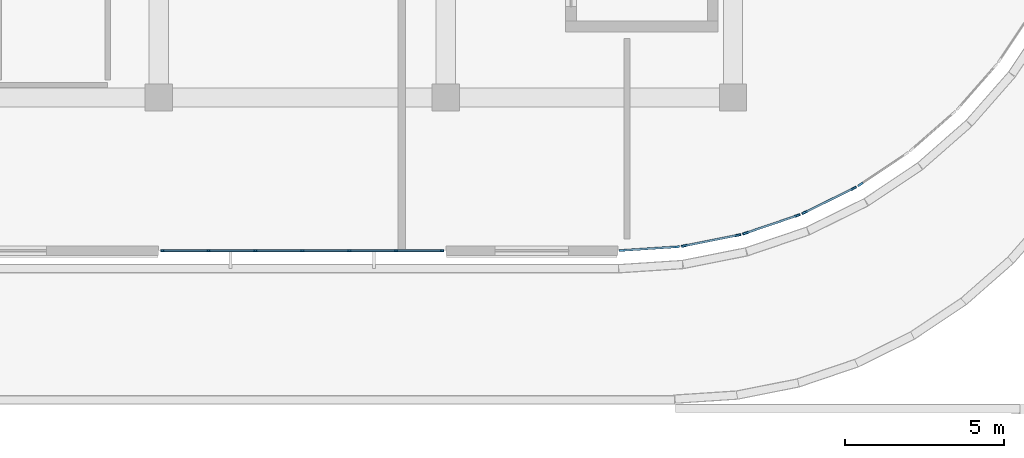
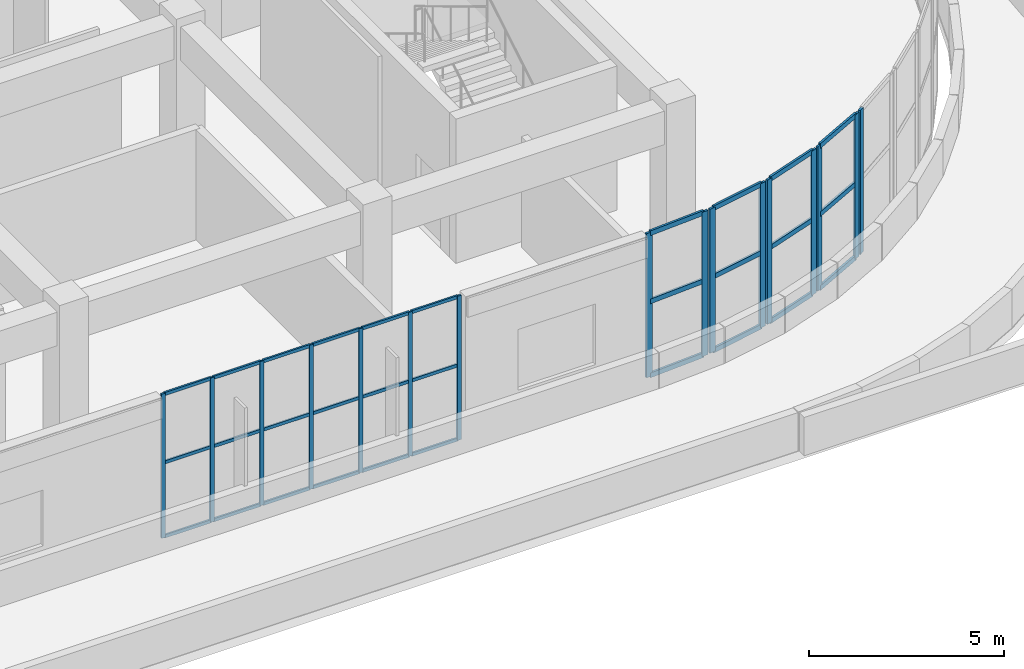
# One storey, part 20 of 67: 46 members, 6 elements without a shape of their own.
"""IFC4 building model written with IfcOpenShell, lengths in metres."""

from ifc_helpers import new_model, si_unit, direction, frame, origin, origin_2d, place, context, subcontext, project, spatial, rectangle, extrude, material, layer, layer_set, material_profile, profile_set, type_object, element, aggregate, save


model = new_model("IFC4")

# Units and contexts
model_context = context("Model", 3, precision=1e-05, world=origin(), true_north=direction((0.0, 1.0)))
body_context = subcontext(model_context, "Body", "Model", "MODEL_VIEW")
ifc_project = project(units=[si_unit("LENGTHUNIT", "METRE"), si_unit("AREAUNIT", "SQUARE_METRE"), si_unit("VOLUMEUNIT", "CUBIC_METRE"), si_unit("PLANEANGLEUNIT", "RADIAN"), si_unit("MASSUNIT", "GRAM", prefix="KILO")], contexts=[model_context])

# Site, building, storey
site_placement = place(None, origin())
site = spatial("IfcSite", under=ifc_project, at=site_placement, CompositionType="ELEMENT")
building_placement = place(site_placement, origin())
building = spatial("IfcBuilding", under=site, at=building_placement, Name="Cendralis Terraced Arcade", CompositionType="ELEMENT")
storey_placement = place(building_placement, frame((0.0, 0.0, 15.0)))
storey = spatial("IfcBuildingStorey", under=building, at=storey_placement, Name="L03", CompositionType="ELEMENT", Elevation=15.0)

# Curtain wall, members
ifc_material = material(Name="Anodised aluminium EN AW-6063 T6", Category="aluminium")
ifc_layer_1 = layer(ifc_material, 0.1201171875, Name="CW-STORE-B")
ifc_layer_set_1 = layer_set([ifc_layer_1], Name="Anodised aluminium EN AW-6063 T6")
curtain_wall_type_1 = type_object("IfcCurtainWallType", Name="CW-STORE-B", PredefinedType="USERDEFINED", material=ifc_layer_set_1)
curtain_wall_1_placement = place(storey_placement, origin())
curtain_wall_1 = element("IfcCurtainWall", 1, at=curtain_wall_1_placement, inside=storey, type_object=curtain_wall_type_1, Name="Exterior Storefront Glazing CW-L03-0251", ObjectType="STOREFRONT GLAZING", PredefinedType="USERDEFINED")
ifc_material_profile_1 = material_profile(ifc_material, rectangle(XDim=0.054931640625, YDim=0.1201171875, at=origin_2d()), Name="ALU-MUL-55x120")
ifc_profile_set_1 = profile_set([ifc_material_profile_1], Name="Anodised aluminium EN AW-6063 T6")
member_type_1 = type_object("IfcMemberType", Name="CW-STORE-B-MUL", PredefinedType="MULLION", material=ifc_profile_set_1)
member_1_placement = place(storey_placement, frame((148.08251953125, 64.800048828125, 0.0), z_axis=(0.0, 0.0, 1.0), x_axis=(0.0, -1.0, 0.0)))
member_1 = element("IfcMember", 2, at=member_1_placement, type_object=member_type_1, Name="CW-S2 mullion 1", PredefinedType="MULLION", context=body_context, shape_type="SweptSolid", body=[
    extrude(rectangle(XDim=0.054931640625, YDim=0.1201171875, at=origin_2d()), origin(), (0.0, 0.0, 1.0), 4.52001953125),
])
member_2_placement = place(storey_placement, frame((146.639892578125, 64.800048828125, 0.0), z_axis=(0.0, 0.0, 1.0), x_axis=(0.0, -1.0, 0.0)))
member_2 = element("IfcMember", 3, at=member_2_placement, type_object=member_type_1, Name="CW-S2 mullion 2", PredefinedType="MULLION", context=body_context, shape_type="SweptSolid", body=[
    extrude(rectangle(XDim=0.054931640625, YDim=0.1201171875, at=origin_2d()), origin(), (0.0, 0.0, 1.0), 4.52001953125),
])
member_3_placement = place(storey_placement, frame((145.169921875, 64.800048828125, 0.0), z_axis=(0.0, 0.0, 1.0), x_axis=(0.0, -1.0, 0.0)))
member_3 = element("IfcMember", 4, at=member_3_placement, type_object=member_type_1, Name="CW-S2 mullion 3", PredefinedType="MULLION", context=body_context, shape_type="SweptSolid", body=[
    extrude(rectangle(XDim=0.054931640625, YDim=0.1201171875, at=origin_2d()), origin(), (0.0, 0.0, 1.0), 4.52001953125),
])
member_4_placement = place(storey_placement, frame((143.699951171875, 64.800048828125, 0.0), z_axis=(0.0, 0.0, 1.0), x_axis=(0.0, -1.0, 0.0)))
member_4 = element("IfcMember", 5, at=member_4_placement, type_object=member_type_1, Name="CW-S2 mullion 4", PredefinedType="MULLION", context=body_context, shape_type="SweptSolid", body=[
    extrude(rectangle(XDim=0.054931640625, YDim=0.1201171875, at=origin_2d()), origin(), (0.0, 0.0, 1.0), 4.52001953125),
])
member_5_placement = place(storey_placement, frame((142.22998046875, 64.800048828125, 0.0), z_axis=(0.0, 0.0, 1.0), x_axis=(0.0, -1.0, 0.0)))
member_5 = element("IfcMember", 6, at=member_5_placement, type_object=member_type_1, Name="CW-S2 mullion 5", PredefinedType="MULLION", context=body_context, shape_type="SweptSolid", body=[
    extrude(rectangle(XDim=0.054931640625, YDim=0.1201171875, at=origin_2d()), origin(), (0.0, 0.0, 1.0), 4.52001953125),
])
member_6_placement = place(storey_placement, frame((140.760009765625, 64.800048828125, 0.0), z_axis=(0.0, 0.0, 1.0), x_axis=(0.0, -1.0, 0.0)))
member_6 = element("IfcMember", 7, at=member_6_placement, type_object=member_type_1, Name="CW-S2 mullion 6", PredefinedType="MULLION", context=body_context, shape_type="SweptSolid", body=[
    extrude(rectangle(XDim=0.054931640625, YDim=0.1201171875, at=origin_2d()), origin(), (0.0, 0.0, 1.0), 4.52001953125),
])
member_7_placement = place(storey_placement, frame((139.3173828125, 64.800048828125, 0.0), z_axis=(0.0, 0.0, 1.0), x_axis=(0.0, -1.0, 0.0)))
member_7 = element("IfcMember", 8, at=member_7_placement, type_object=member_type_1, Name="CW-S2 mullion 7", PredefinedType="MULLION", context=body_context, shape_type="SweptSolid", body=[
    extrude(rectangle(XDim=0.054931640625, YDim=0.1201171875, at=origin_2d()), origin(), (0.0, 0.0, 1.0), 4.52001953125),
])
ifc_material_profile_2 = material_profile(ifc_material, rectangle(XDim=0.054931640625, YDim=0.10009765625, at=origin_2d()), Name="ALU-TRN-55x100")
ifc_profile_set_2 = profile_set([ifc_material_profile_2], Name="Anodised aluminium EN AW-6063 T6")
member_type_2 = type_object("IfcMemberType", Name="CW-STORE-B-TRN", PredefinedType="USERDEFINED", material=ifc_profile_set_2)
member_8_placement = place(storey_placement, frame((148.054931640625, 64.800048828125, 0.027587890625), z_axis=(-1.0, 0.0, 0.0), x_axis=(0.0, -1.0, 0.0)))
member_8 = element("IfcMember", 9, at=member_8_placement, type_object=member_type_2, Name="CW-S2 transom 1.1", ObjectType="TRANSOM", PredefinedType="USERDEFINED", context=body_context, shape_type="SweptSolid", body=[
    extrude(rectangle(XDim=0.054931640625, YDim=0.10009765625, at=origin_2d()), origin(), (0.0, 0.0, 1.0), 1.387451171875),
])
member_9_placement = place(storey_placement, frame((148.054931640625, 64.800048828125, 2.350341796875), z_axis=(-1.0, 0.0, 0.0), x_axis=(0.0, -1.0, 0.0)))
member_9 = element("IfcMember", 10, at=member_9_placement, type_object=member_type_2, Name="CW-S2 transom 1.2", ObjectType="TRANSOM", PredefinedType="USERDEFINED", context=body_context, shape_type="SweptSolid", body=[
    extrude(rectangle(XDim=0.054931640625, YDim=0.10009765625, at=origin_2d()), origin(), (0.0, 0.0, 1.0), 1.387451171875),
])
member_10_placement = place(storey_placement, frame((148.054931640625, 64.800048828125, 4.492431640625), z_axis=(-1.0, 0.0, 0.0), x_axis=(0.0, -1.0, 0.0)))
member_10 = element("IfcMember", 11, at=member_10_placement, type_object=member_type_2, Name="CW-S2 transom 1.3", ObjectType="TRANSOM", PredefinedType="USERDEFINED", context=body_context, shape_type="SweptSolid", body=[
    extrude(rectangle(XDim=0.054931640625, YDim=0.10009765625, at=origin_2d()), origin(), (0.0, 0.0, 1.0), 1.387451171875),
])
member_11_placement = place(storey_placement, frame((146.612548828125, 64.800048828125, 0.027587890625), z_axis=(-1.0, 0.0, 0.0), x_axis=(0.0, -1.0, 0.0)))
member_11 = element("IfcMember", 12, at=member_11_placement, type_object=member_type_2, Name="CW-S2 transom 2.1", ObjectType="TRANSOM", PredefinedType="USERDEFINED", context=body_context, shape_type="SweptSolid", body=[
    extrude(rectangle(XDim=0.054931640625, YDim=0.10009765625, at=origin_2d()), origin(), (0.0, 0.0, 1.0), 1.4150390625),
])
member_12_placement = place(storey_placement, frame((146.612548828125, 64.800048828125, 2.350341796875), z_axis=(-1.0, 0.0, 0.0), x_axis=(0.0, -1.0, 0.0)))
member_12 = element("IfcMember", 13, at=member_12_placement, type_object=member_type_2, Name="CW-S2 transom 2.2", ObjectType="TRANSOM", PredefinedType="USERDEFINED", context=body_context, shape_type="SweptSolid", body=[
    extrude(rectangle(XDim=0.054931640625, YDim=0.10009765625, at=origin_2d()), origin(), (0.0, 0.0, 1.0), 1.4150390625),
])
member_13_placement = place(storey_placement, frame((146.612548828125, 64.800048828125, 4.492431640625), z_axis=(-1.0, 0.0, 0.0), x_axis=(0.0, -1.0, 0.0)))
member_13 = element("IfcMember", 14, at=member_13_placement, type_object=member_type_2, Name="CW-S2 transom 2.3", ObjectType="TRANSOM", PredefinedType="USERDEFINED", context=body_context, shape_type="SweptSolid", body=[
    extrude(rectangle(XDim=0.054931640625, YDim=0.10009765625, at=origin_2d()), origin(), (0.0, 0.0, 1.0), 1.4150390625),
])
member_14_placement = place(storey_placement, frame((145.142578125, 64.800048828125, 0.027587890625), z_axis=(-1.0, 0.0, 0.0), x_axis=(0.0, -1.0, 0.0)))
member_14 = element("IfcMember", 15, at=member_14_placement, type_object=member_type_2, Name="CW-S2 transom 3.1", ObjectType="TRANSOM", PredefinedType="USERDEFINED", context=body_context, shape_type="SweptSolid", body=[
    extrude(rectangle(XDim=0.054931640625, YDim=0.10009765625, at=origin_2d()), origin(), (0.0, 0.0, 1.0), 1.4150390625),
])
member_15_placement = place(storey_placement, frame((145.142578125, 64.800048828125, 2.350341796875), z_axis=(-1.0, 0.0, 0.0), x_axis=(0.0, -1.0, 0.0)))
member_15 = element("IfcMember", 16, at=member_15_placement, type_object=member_type_2, Name="CW-S2 transom 3.2", ObjectType="TRANSOM", PredefinedType="USERDEFINED", context=body_context, shape_type="SweptSolid", body=[
    extrude(rectangle(XDim=0.054931640625, YDim=0.10009765625, at=origin_2d()), origin(), (0.0, 0.0, 1.0), 1.4150390625),
])
member_16_placement = place(storey_placement, frame((145.142578125, 64.800048828125, 4.492431640625), z_axis=(-1.0, 0.0, 0.0), x_axis=(0.0, -1.0, 0.0)))
member_16 = element("IfcMember", 17, at=member_16_placement, type_object=member_type_2, Name="CW-S2 transom 3.3", ObjectType="TRANSOM", PredefinedType="USERDEFINED", context=body_context, shape_type="SweptSolid", body=[
    extrude(rectangle(XDim=0.054931640625, YDim=0.10009765625, at=origin_2d()), origin(), (0.0, 0.0, 1.0), 1.4150390625),
])
member_17_placement = place(storey_placement, frame((143.672607421875, 64.800048828125, 0.027587890625), z_axis=(-1.0, 0.0, 0.0), x_axis=(0.0, -1.0, 0.0)))
member_17 = element("IfcMember", 18, at=member_17_placement, type_object=member_type_2, Name="CW-S2 transom 4.1", ObjectType="TRANSOM", PredefinedType="USERDEFINED", context=body_context, shape_type="SweptSolid", body=[
    extrude(rectangle(XDim=0.054931640625, YDim=0.10009765625, at=origin_2d()), origin(), (0.0, 0.0, 1.0), 1.4150390625),
])
member_18_placement = place(storey_placement, frame((143.672607421875, 64.800048828125, 2.350341796875), z_axis=(-1.0, 0.0, 0.0), x_axis=(0.0, -1.0, 0.0)))
member_18 = element("IfcMember", 19, at=member_18_placement, type_object=member_type_2, Name="CW-S2 transom 4.2", ObjectType="TRANSOM", PredefinedType="USERDEFINED", context=body_context, shape_type="SweptSolid", body=[
    extrude(rectangle(XDim=0.054931640625, YDim=0.10009765625, at=origin_2d()), origin(), (0.0, 0.0, 1.0), 1.4150390625),
])
member_19_placement = place(storey_placement, frame((143.672607421875, 64.800048828125, 4.492431640625), z_axis=(-1.0, 0.0, 0.0), x_axis=(0.0, -1.0, 0.0)))
member_19 = element("IfcMember", 20, at=member_19_placement, type_object=member_type_2, Name="CW-S2 transom 4.3", ObjectType="TRANSOM", PredefinedType="USERDEFINED", context=body_context, shape_type="SweptSolid", body=[
    extrude(rectangle(XDim=0.054931640625, YDim=0.10009765625, at=origin_2d()), origin(), (0.0, 0.0, 1.0), 1.4150390625),
])
member_20_placement = place(storey_placement, frame((142.202392578125, 64.800048828125, 0.027587890625), z_axis=(-1.0, 0.0, 0.0), x_axis=(0.0, -1.0, 0.0)))
member_20 = element("IfcMember", 21, at=member_20_placement, type_object=member_type_2, Name="CW-S2 transom 5.1", ObjectType="TRANSOM", PredefinedType="USERDEFINED", context=body_context, shape_type="SweptSolid", body=[
    extrude(rectangle(XDim=0.054931640625, YDim=0.10009765625, at=origin_2d()), origin(), (0.0, 0.0, 1.0), 1.414794921875),
])
member_21_placement = place(storey_placement, frame((142.202392578125, 64.800048828125, 2.350341796875), z_axis=(-1.0, 0.0, 0.0), x_axis=(0.0, -1.0, 0.0)))
member_21 = element("IfcMember", 22, at=member_21_placement, type_object=member_type_2, Name="CW-S2 transom 5.2", ObjectType="TRANSOM", PredefinedType="USERDEFINED", context=body_context, shape_type="SweptSolid", body=[
    extrude(rectangle(XDim=0.054931640625, YDim=0.10009765625, at=origin_2d()), origin(), (0.0, 0.0, 1.0), 1.414794921875),
])
member_22_placement = place(storey_placement, frame((142.202392578125, 64.800048828125, 4.492431640625), z_axis=(-1.0, 0.0, 0.0), x_axis=(0.0, -1.0, 0.0)))
member_22 = element("IfcMember", 23, at=member_22_placement, type_object=member_type_2, Name="CW-S2 transom 5.3", ObjectType="TRANSOM", PredefinedType="USERDEFINED", context=body_context, shape_type="SweptSolid", body=[
    extrude(rectangle(XDim=0.054931640625, YDim=0.10009765625, at=origin_2d()), origin(), (0.0, 0.0, 1.0), 1.414794921875),
])
member_23_placement = place(storey_placement, frame((140.732421875, 64.800048828125, 0.027587890625), z_axis=(-1.0, 0.0, 0.0), x_axis=(0.0, -1.0, 0.0)))
member_23 = element("IfcMember", 24, at=member_23_placement, type_object=member_type_2, Name="CW-S2 transom 6.1", ObjectType="TRANSOM", PredefinedType="USERDEFINED", context=body_context, shape_type="SweptSolid", body=[
    extrude(rectangle(XDim=0.054931640625, YDim=0.10009765625, at=origin_2d()), origin(), (0.0, 0.0, 1.0), 1.387451171875),
])
member_24_placement = place(storey_placement, frame((140.732421875, 64.800048828125, 2.350341796875), z_axis=(-1.0, 0.0, 0.0), x_axis=(0.0, -1.0, 0.0)))
member_24 = element("IfcMember", 25, at=member_24_placement, type_object=member_type_2, Name="CW-S2 transom 6.2", ObjectType="TRANSOM", PredefinedType="USERDEFINED", context=body_context, shape_type="SweptSolid", body=[
    extrude(rectangle(XDim=0.054931640625, YDim=0.10009765625, at=origin_2d()), origin(), (0.0, 0.0, 1.0), 1.387451171875),
])
member_25_placement = place(storey_placement, frame((140.732421875, 64.800048828125, 4.492431640625), z_axis=(-1.0, 0.0, 0.0), x_axis=(0.0, -1.0, 0.0)))
member_25 = element("IfcMember", 26, at=member_25_placement, type_object=member_type_2, Name="CW-S2 transom 6.3", ObjectType="TRANSOM", PredefinedType="USERDEFINED", context=body_context, shape_type="SweptSolid", body=[
    extrude(rectangle(XDim=0.054931640625, YDim=0.10009765625, at=origin_2d()), origin(), (0.0, 0.0, 1.0), 1.387451171875),
])
aggregate(curtain_wall_1, [member_1, member_2, member_3, member_4, member_5, member_6, member_7, member_8, member_9, member_10, member_11, member_12, member_13, member_14, member_15, member_16, member_17, member_18, member_19, member_20, member_21, member_22, member_23, member_24, member_25])

# Curtain wall, member
ifc_layer_2 = layer(ifc_material, 0.179931640625, Name="CW-UNIT-A")
ifc_layer_set_2 = layer_set([ifc_layer_2], Name="Anodised aluminium EN AW-6063 T6")
curtain_wall_type_2 = type_object("IfcCurtainWallType", Name="CW-UNIT-A", PredefinedType="USERDEFINED", material=ifc_layer_set_2)
curtain_wall_2_placement = place(storey_placement, origin())
curtain_wall_2 = element("IfcCurtainWall", 27, at=curtain_wall_2_placement, inside=storey, type_object=curtain_wall_type_2, Name="Exterior Unitised Facade CW-L03-0246", ObjectType="UNITISED FACADE", PredefinedType="USERDEFINED")
ifc_material_profile_3 = material_profile(ifc_material, rectangle(XDim=0.06494140625, YDim=0.179931640625, at=origin_2d()), Name="ALU-MUL-65x180")
ifc_profile_set_3 = profile_set([ifc_material_profile_3], Name="Anodised aluminium EN AW-6063 T6")
member_type_3 = type_object("IfcMemberType", Name="CW-UNIT-A-MUL", PredefinedType="MULLION", material=ifc_profile_set_3)
member_26_placement = place(storey_placement, frame((161.201904296875, 66.877685546875, 0.0), z_axis=(0.0, 0.0, 1.0), x_axis=(0.555567476528, -0.831471454125, 0.0)))
member_26 = element("IfcMember", 28, at=member_26_placement, type_object=member_type_3, Name="CW-U1 mullion 2", PredefinedType="MULLION", context=body_context, shape_type="SweptSolid", body=[
    extrude(rectangle(XDim=0.06494140625, YDim=0.179931640625, at=origin_2d()), origin(), (0.0, 0.0, 1.0), 4.52001953125),
])
aggregate(curtain_wall_2, [member_26])

# Curtain wall, members
curtain_wall_3_placement = place(storey_placement, origin())
curtain_wall_3 = element("IfcCurtainWall", 29, at=curtain_wall_3_placement, inside=storey, type_object=curtain_wall_type_2, Name="Exterior Unitised Facade CW-L03-0247", ObjectType="UNITISED FACADE", PredefinedType="USERDEFINED")
member_27_placement = place(storey_placement, frame((160.990234375, 66.75537109375, 0.0), z_axis=(0.0, 0.0, 1.0), x_axis=(0.442291247495, -0.896871480419, 0.0)))
member_27 = element("IfcMember", 30, at=member_27_placement, type_object=member_type_3, Name="CW-U1 mullion 1", PredefinedType="MULLION", context=body_context, shape_type="SweptSolid", body=[
    extrude(rectangle(XDim=0.06494140625, YDim=0.179931640625, at=origin_2d()), origin(), (0.0, 0.0, 1.0), 4.52001953125),
])
member_28_placement = place(storey_placement, frame((159.4501953125, 65.99609375, 0.0), z_axis=(0.0, 0.0, 1.0), x_axis=(0.442291247495, -0.896871480419, 0.0)))
member_28 = element("IfcMember", 31, at=member_28_placement, type_object=member_type_3, Name="CW-U1 mullion 2", PredefinedType="MULLION", context=body_context, shape_type="SweptSolid", body=[
    extrude(rectangle(XDim=0.06494140625, YDim=0.179931640625, at=origin_2d()), origin(), (0.0, 0.0, 1.0), 4.52001953125),
])

curtain_wall_4_placement = place(storey_placement, origin())
curtain_wall_4 = element("IfcCurtainWall", 32, at=curtain_wall_4_placement, inside=storey, type_object=curtain_wall_type_2, Name="Exterior Unitised Facade CW-L03-0248", ObjectType="UNITISED FACADE", PredefinedType="USERDEFINED")
member_29_placement = place(storey_placement, frame((159.224365234375, 65.90234375, 0.0), z_axis=(0.0, 0.0, 1.0), x_axis=(0.321458077458, -0.946923811316, 0.0)))
member_29 = element("IfcMember", 33, at=member_29_placement, type_object=member_type_3, Name="CW-U1 mullion 1", PredefinedType="MULLION", context=body_context, shape_type="SweptSolid", body=[
    extrude(rectangle(XDim=0.06494140625, YDim=0.179931640625, at=origin_2d()), origin(), (0.0, 0.0, 1.0), 4.52001953125),
])
member_30_placement = place(storey_placement, frame((157.598388671875, 65.350341796875, 0.0), z_axis=(0.0, 0.0, 1.0), x_axis=(0.321458077458, -0.946923811316, 0.0)))
member_30 = element("IfcMember", 34, at=member_30_placement, type_object=member_type_3, Name="CW-U1 mullion 2", PredefinedType="MULLION", context=body_context, shape_type="SweptSolid", body=[
    extrude(rectangle(XDim=0.06494140625, YDim=0.179931640625, at=origin_2d()), origin(), (0.0, 0.0, 1.0), 4.52001953125),
])

curtain_wall_5_placement = place(storey_placement, origin())
curtain_wall_5 = element("IfcCurtainWall", 35, at=curtain_wall_5_placement, inside=storey, type_object=curtain_wall_type_2, Name="Exterior Unitised Facade CW-L03-0249", ObjectType="UNITISED FACADE", PredefinedType="USERDEFINED")
member_31_placement = place(storey_placement, frame((157.362060546875, 65.287109375, 0.0), z_axis=(0.0, 0.0, 1.0), x_axis=(0.195058454434, -0.980791618721, 0.0)))
member_31 = element("IfcMember", 36, at=member_31_placement, type_object=member_type_3, Name="CW-U1 mullion 1", PredefinedType="MULLION", context=body_context, shape_type="SweptSolid", body=[
    extrude(rectangle(XDim=0.06494140625, YDim=0.179931640625, at=origin_2d()), origin(), (0.0, 0.0, 1.0), 4.52001953125),
])
member_32_placement = place(storey_placement, frame((155.677978515625, 64.9521484375, 0.0), z_axis=(0.0, 0.0, 1.0), x_axis=(0.195058454434, -0.980791618721, 0.0)))
member_32 = element("IfcMember", 37, at=member_32_placement, type_object=member_type_3, Name="CW-U1 mullion 2", PredefinedType="MULLION", context=body_context, shape_type="SweptSolid", body=[
    extrude(rectangle(XDim=0.06494140625, YDim=0.179931640625, at=origin_2d()), origin(), (0.0, 0.0, 1.0), 4.52001953125),
])

curtain_wall_6_placement = place(storey_placement, origin())
curtain_wall_6 = element("IfcCurtainWall", 38, at=curtain_wall_6_placement, inside=storey, type_object=curtain_wall_type_2, Name="Exterior Unitised Facade CW-L03-0250", ObjectType="UNITISED FACADE", PredefinedType="USERDEFINED")
member_33_placement = place(storey_placement, frame((155.435791015625, 64.920166015625, 0.0), z_axis=(0.0, 0.0, 1.0), x_axis=(0.065371873798, -0.997860971336, 0.0)))
member_33 = element("IfcMember", 39, at=member_33_placement, type_object=member_type_3, Name="CW-U1 mullion 1", PredefinedType="MULLION", context=body_context, shape_type="SweptSolid", body=[
    extrude(rectangle(XDim=0.06494140625, YDim=0.179931640625, at=origin_2d()), origin(), (0.0, 0.0, 1.0), 4.52001953125),
])
member_34_placement = place(storey_placement, frame((153.72216796875, 64.80810546875, 0.0), z_axis=(0.0, 0.0, 1.0), x_axis=(0.065371873798, -0.997860971336, 0.0)))
member_34 = element("IfcMember", 40, at=member_34_placement, type_object=member_type_3, Name="CW-U1 mullion 2", PredefinedType="MULLION", context=body_context, shape_type="SweptSolid", body=[
    extrude(rectangle(XDim=0.06494140625, YDim=0.179931640625, at=origin_2d()), origin(), (0.0, 0.0, 1.0), 4.52001953125),
])

# Member
ifc_material_profile_4 = material_profile(ifc_material, rectangle(XDim=0.06494140625, YDim=0.14990234375, at=origin_2d()), Name="ALU-TRN-65x150")
ifc_profile_set_4 = profile_set([ifc_material_profile_4], Name="Anodised aluminium EN AW-6063 T6")
member_type_4 = type_object("IfcMemberType", Name="CW-UNIT-A-TRN", PredefinedType="USERDEFINED", material=ifc_profile_set_4)
member_35_placement = place(storey_placement, frame((160.9609375, 66.740966796875, 0.032470703125), z_axis=(-0.896866855431, -0.442300625853, 0.0), x_axis=(0.442300625853, -0.896866855431, 0.0)))
member_35 = element("IfcMember", 41, at=member_35_placement, type_object=member_type_4, Name="CW-U1 transom 1.1", ObjectType="TRANSOM", PredefinedType="USERDEFINED", context=body_context, shape_type="SweptSolid", body=[
    extrude(rectangle(XDim=0.06494140625, YDim=0.14990234375, at=origin_2d()), origin(), (0.0, 0.0, 1.0), 1.652099609375),
])

member_36_placement = place(storey_placement, frame((160.9609375, 66.740966796875, 2.350341796875), z_axis=(-0.896866855431, -0.442300625853, 0.0), x_axis=(0.442300625853, -0.896866855431, 0.0)))
member_36 = element("IfcMember", 42, at=member_36_placement, type_object=member_type_4, Name="CW-U1 transom 1.2", ObjectType="TRANSOM", PredefinedType="USERDEFINED", context=body_context, shape_type="SweptSolid", body=[
    extrude(rectangle(XDim=0.06494140625, YDim=0.14990234375, at=origin_2d()), origin(), (0.0, 0.0, 1.0), 1.652099609375),
])

member_37_placement = place(storey_placement, frame((160.9609375, 66.740966796875, 4.487548828125), z_axis=(-0.896866855431, -0.442300625853, 0.0), x_axis=(0.442300625853, -0.896866855431, 0.0)))
member_37 = element("IfcMember", 43, at=member_37_placement, type_object=member_type_4, Name="CW-U1 transom 1.3", ObjectType="TRANSOM", PredefinedType="USERDEFINED", context=body_context, shape_type="SweptSolid", body=[
    extrude(rectangle(XDim=0.06494140625, YDim=0.14990234375, at=origin_2d()), origin(), (0.0, 0.0, 1.0), 1.652099609375),
])

aggregate(curtain_wall_3, [member_27, member_28, member_35, member_36, member_37])

member_38_placement = place(storey_placement, frame((159.193603515625, 65.89208984375, 0.032470703125), z_axis=(-0.94689517137, -0.321542430228, 0.0), x_axis=(0.321542430228, -0.94689517137, 0.0)))
member_38 = element("IfcMember", 44, at=member_38_placement, type_object=member_type_4, Name="CW-U1 transom 1.1", ObjectType="TRANSOM", PredefinedType="USERDEFINED", context=body_context, shape_type="SweptSolid", body=[
    extrude(rectangle(XDim=0.06494140625, YDim=0.14990234375, at=origin_2d()), origin(), (0.0, 0.0, 1.0), 1.652099609375),
])

member_39_placement = place(storey_placement, frame((159.193603515625, 65.89208984375, 2.350341796875), z_axis=(-0.94689517137, -0.321542430228, 0.0), x_axis=(0.321542430228, -0.94689517137, 0.0)))
member_39 = element("IfcMember", 45, at=member_39_placement, type_object=member_type_4, Name="CW-U1 transom 1.2", ObjectType="TRANSOM", PredefinedType="USERDEFINED", context=body_context, shape_type="SweptSolid", body=[
    extrude(rectangle(XDim=0.06494140625, YDim=0.14990234375, at=origin_2d()), origin(), (0.0, 0.0, 1.0), 1.652099609375),
])

member_40_placement = place(storey_placement, frame((159.193603515625, 65.89208984375, 4.487548828125), z_axis=(-0.94689517137, -0.321542430228, 0.0), x_axis=(0.321542430228, -0.94689517137, 0.0)))
member_40 = element("IfcMember", 46, at=member_40_placement, type_object=member_type_4, Name="CW-U1 transom 1.3", ObjectType="TRANSOM", PredefinedType="USERDEFINED", context=body_context, shape_type="SweptSolid", body=[
    extrude(rectangle(XDim=0.06494140625, YDim=0.14990234375, at=origin_2d()), origin(), (0.0, 0.0, 1.0), 1.652099609375),
])

aggregate(curtain_wall_4, [member_29, member_30, member_38, member_39, member_40])

member_41_placement = place(storey_placement, frame((157.330322265625, 65.28076171875, 0.032470703125), z_axis=(-0.980790408784, -0.195064538134, 0.0), x_axis=(0.195064538134, -0.980790408784, 0.0)))
member_41 = element("IfcMember", 47, at=member_41_placement, type_object=member_type_4, Name="CW-U1 transom 1.1", ObjectType="TRANSOM", PredefinedType="USERDEFINED", context=body_context, shape_type="SweptSolid", body=[
    extrude(rectangle(XDim=0.06494140625, YDim=0.14990234375, at=origin_2d()), origin(), (0.0, 0.0, 1.0), 1.652099609375),
])

member_42_placement = place(storey_placement, frame((157.330322265625, 65.28076171875, 2.350341796875), z_axis=(-0.980790408784, -0.195064538134, 0.0), x_axis=(0.195064538134, -0.980790408784, 0.0)))
member_42 = element("IfcMember", 48, at=member_42_placement, type_object=member_type_4, Name="CW-U1 transom 1.2", ObjectType="TRANSOM", PredefinedType="USERDEFINED", context=body_context, shape_type="SweptSolid", body=[
    extrude(rectangle(XDim=0.06494140625, YDim=0.14990234375, at=origin_2d()), origin(), (0.0, 0.0, 1.0), 1.652099609375),
])

member_43_placement = place(storey_placement, frame((157.330322265625, 65.28076171875, 4.487548828125), z_axis=(-0.980790408784, -0.195064538134, 0.0), x_axis=(0.195064538134, -0.980790408784, 0.0)))
member_43 = element("IfcMember", 49, at=member_43_placement, type_object=member_type_4, Name="CW-U1 transom 1.3", ObjectType="TRANSOM", PredefinedType="USERDEFINED", context=body_context, shape_type="SweptSolid", body=[
    extrude(rectangle(XDim=0.06494140625, YDim=0.14990234375, at=origin_2d()), origin(), (0.0, 0.0, 1.0), 1.652099609375),
])

aggregate(curtain_wall_5, [member_31, member_32, member_41, member_42, member_43])

member_44_placement = place(storey_placement, frame((155.4033203125, 64.918212890625, 0.032470703125), z_axis=(-0.997855208893, -0.065459774551, 0.0), x_axis=(0.065459774551, -0.997855208893, 0.0)))
member_44 = element("IfcMember", 50, at=member_44_placement, type_object=member_type_4, Name="CW-U1 transom 1.1", ObjectType="TRANSOM", PredefinedType="USERDEFINED", context=body_context, shape_type="SweptSolid", body=[
    extrude(rectangle(XDim=0.06494140625, YDim=0.14990234375, at=origin_2d()), origin(), (0.0, 0.0, 1.0), 1.65234375),
])

member_45_placement = place(storey_placement, frame((155.4033203125, 64.918212890625, 2.350341796875), z_axis=(-0.997855208893, -0.065459774551, 0.0), x_axis=(0.065459774551, -0.997855208893, 0.0)))
member_45 = element("IfcMember", 51, at=member_45_placement, type_object=member_type_4, Name="CW-U1 transom 1.2", ObjectType="TRANSOM", PredefinedType="USERDEFINED", context=body_context, shape_type="SweptSolid", body=[
    extrude(rectangle(XDim=0.06494140625, YDim=0.14990234375, at=origin_2d()), origin(), (0.0, 0.0, 1.0), 1.65234375),
])

member_46_placement = place(storey_placement, frame((155.4033203125, 64.918212890625, 4.487548828125), z_axis=(-0.997855208893, -0.065459774551, 0.0), x_axis=(0.065459774551, -0.997855208893, 0.0)))
member_46 = element("IfcMember", 52, at=member_46_placement, type_object=member_type_4, Name="CW-U1 transom 1.3", ObjectType="TRANSOM", PredefinedType="USERDEFINED", context=body_context, shape_type="SweptSolid", body=[
    extrude(rectangle(XDim=0.06494140625, YDim=0.14990234375, at=origin_2d()), origin(), (0.0, 0.0, 1.0), 1.65234375),
])

aggregate(curtain_wall_6, [member_33, member_34, member_44, member_45, member_46])

save(model, "model.ifc")
